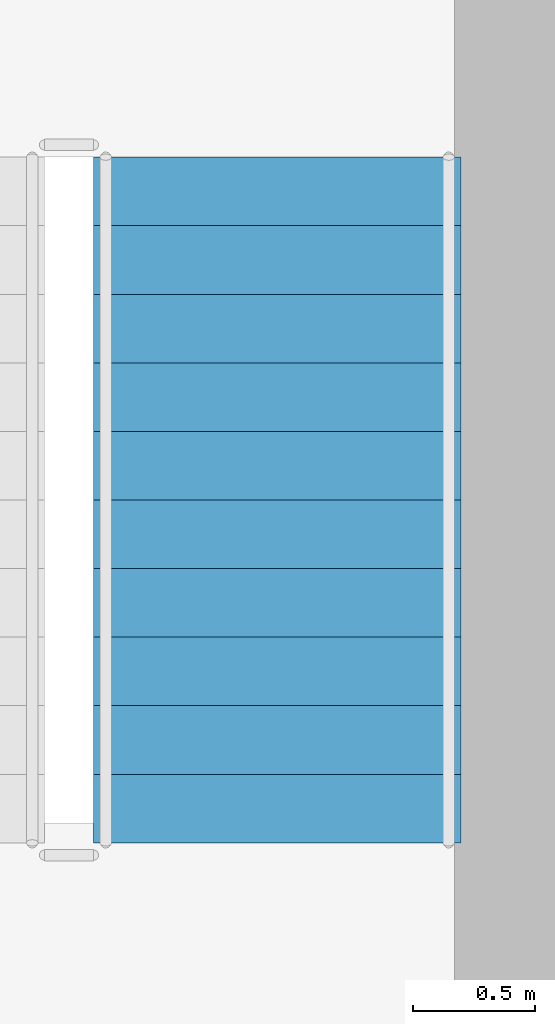
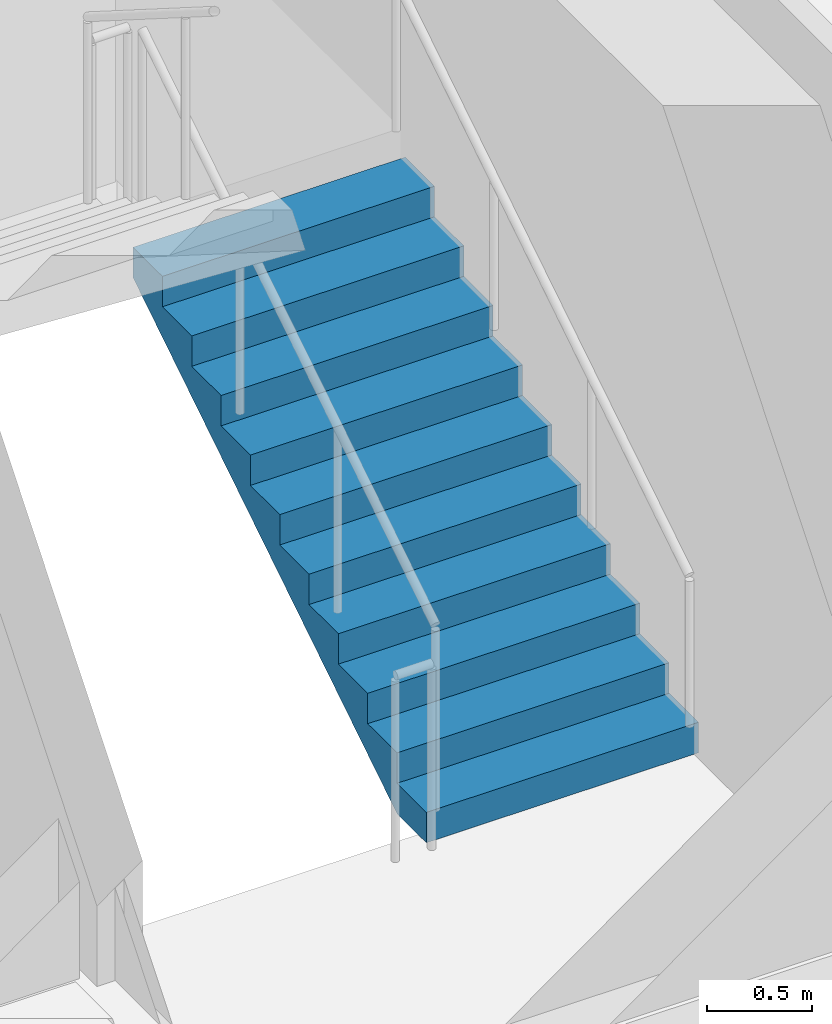
# One storey, part 6 of 10: 1 stair flight, 1 element without a shape of its own.
"""IFC4 building model written with IfcOpenShell, lengths in metres."""

from ifc_helpers import new_model, si_unit, direction, frame, origin, place, context, subcontext, project, spatial, polyline, outline, extrude, material, type_object, element, aggregate, save


model = new_model("IFC4")

# Units and contexts
model_context = context("Model", 3, precision=1e-05, world=origin(), true_north=direction((0.0, 1.0)))
body_context = subcontext(model_context, "Body", "Model", "MODEL_VIEW")
ifc_project = project(units=[si_unit("LENGTHUNIT", "METRE"), si_unit("AREAUNIT", "SQUARE_METRE"), si_unit("VOLUMEUNIT", "CUBIC_METRE"), si_unit("PLANEANGLEUNIT", "RADIAN"), si_unit("MASSUNIT", "GRAM", prefix="KILO")], contexts=[model_context])

# Site, building, storey
site_placement = place(None, origin())
site = spatial("IfcSite", under=ifc_project, at=site_placement, CompositionType="ELEMENT")
building_placement = place(site_placement, origin())
building = spatial("IfcBuilding", under=site, at=building_placement, Name="Kranthara Brick Stack", CompositionType="ELEMENT")
storey_placement = place(building_placement, frame((0.0, 0.0, 71.10009765625)))
storey = spatial("IfcBuildingStorey", under=building, at=storey_placement, Name="L17", CompositionType="ELEMENT", Elevation=71.10009765625)

# Stair, stair flight
ifc_material_1 = material(Name="Concrete C45/55", Category="concrete")
stair_type = type_object("IfcStairType", Name="ST-CORE-22R", PredefinedType="HALF_TURN_STAIR", material=ifc_material_1)
stair_placement = place(storey_placement, origin())
stair = element("IfcStair", 1, at=stair_placement, inside=storey, type_object=stair_type, Name="L17 East Core Protected Exit Stair ST02", PredefinedType="HALF_TURN_STAIR")
ifc_material_2 = material(Name="Concrete C45/55", Category="concrete")
stair_flight_type = type_object("IfcStairFlightType", Name="SFL-RC-22R", PredefinedType="STRAIGHT", material=ifc_material_2)
stair_flight_placement = place(storey_placement, frame((42.14990234375, 25.199951171875, 0.0), z_axis=(0.0, 0.0, 1.0), x_axis=(0.0, 1.0, 0.0)))
stair_flight = element("IfcStairFlight", 2, at=stair_flight_placement, type_object=stair_flight_type, Name="ST02 flight 1", NumberOfRisers=11, NumberOfTreads=10, PredefinedType="STRAIGHT", RiserHeight=0.177272727, TreadLength=0.28, context=body_context, shape_type="SweptSolid", body=[
    extrude(outline(polyline([(0.0, 0.0), (0.0, 0.17724609375), (0.280029296875, 0.17724609375), (0.280029296875, 0.3544921875), (0.56005859375, 0.3544921875), (0.56005859375, 0.53173828125), (0.840087890625, 0.53173828125), (0.840087890625, 0.708984375), (1.1201171875, 0.708984375), (1.1201171875, 0.886474609375), (1.39990234375, 0.886474609375), (1.39990234375, 1.063720703125), (1.679931640625, 1.063720703125), (1.679931640625, 1.240966796875), (1.9599609375, 1.240966796875), (1.9599609375, 1.418212890625), (2.239990234375, 1.418212890625), (2.239990234375, 1.595458984375), (2.52001953125, 1.595458984375), (2.52001953125, 1.772705078125), (2.800048828125, 1.772705078125), (2.800048828125, 1.949951171875), (2.800048828125, 1.59521484375), (0.2802734375, 0.0), (0.0, 0.0)])), frame((0.0, 0.75, 0.0), z_axis=(0.0, -1.0, 0.0), x_axis=(1.0, 0.0, 0.0)), (0.0, 0.0, 1.0), 1.5),
])
aggregate(stair, [stair_flight])

save(model, "model.ifc")
